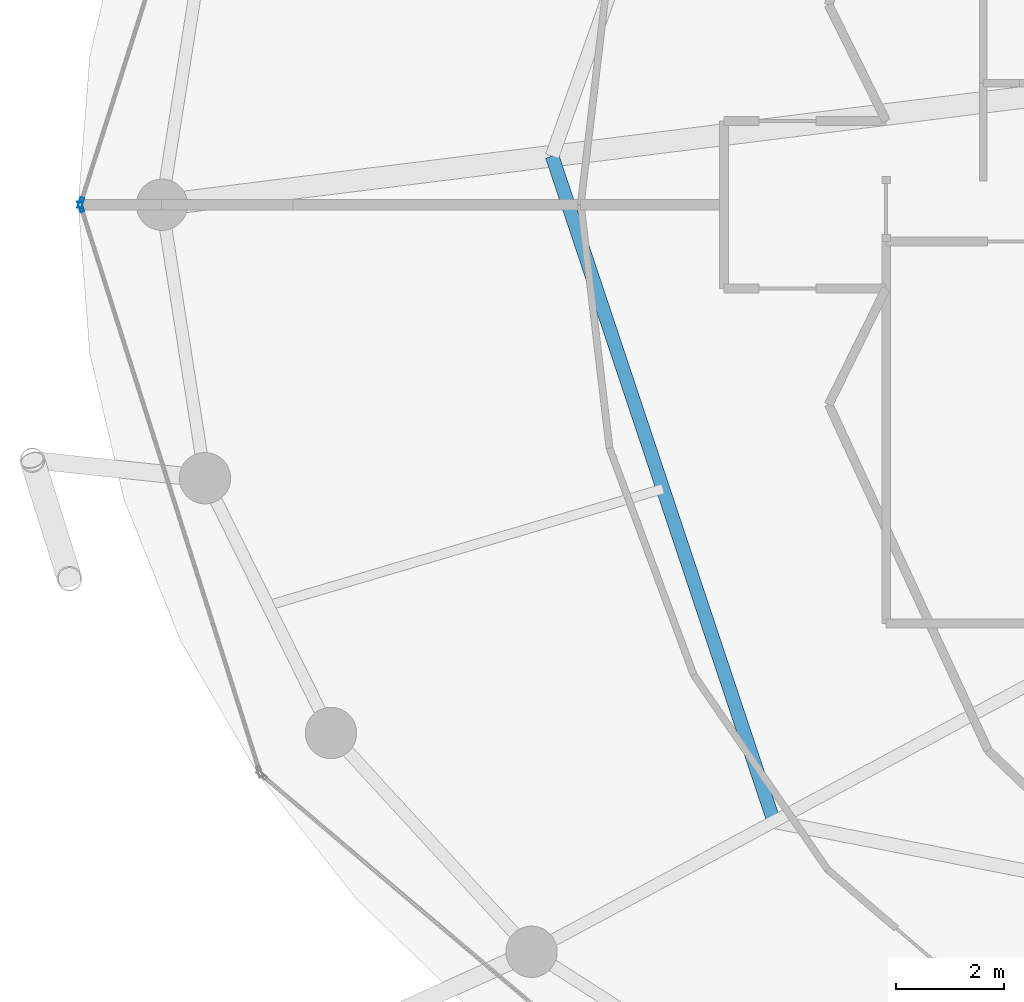
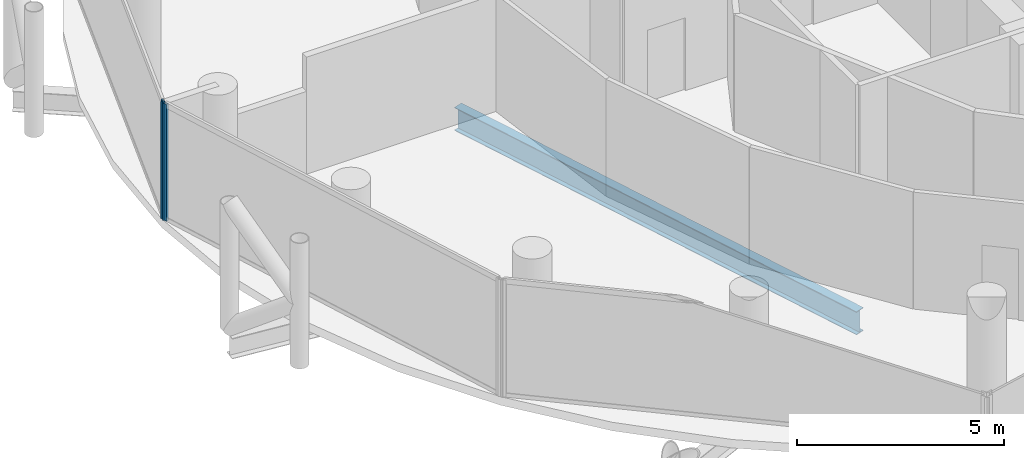
# One storey, part 6 of 26: 2 members, 1 beam, 2 elements without a shape of their own.
"""IFC4 building model written with IfcOpenShell, lengths in metres."""

from ifc_helpers import new_model, si_unit, direction, frame, origin, origin_2d, place, context, subcontext, project, spatial, hollow_rectangle, i_section, extrude, material, layer, layer_set, material_profile, profile_set, type_object, element, aggregate, save


model = new_model("IFC4")

# Units and contexts
model_context = context("Model", 3, precision=1e-05, world=origin(), true_north=direction((0.0, 1.0)))
body_context = subcontext(model_context, "Body", "Model", "MODEL_VIEW")
ifc_project = project(units=[si_unit("LENGTHUNIT", "METRE"), si_unit("AREAUNIT", "SQUARE_METRE"), si_unit("VOLUMEUNIT", "CUBIC_METRE"), si_unit("PLANEANGLEUNIT", "RADIAN"), si_unit("MASSUNIT", "GRAM", prefix="KILO")], contexts=[model_context])

# Site, building, storey
site_placement = place(None, origin())
site = spatial("IfcSite", under=ifc_project, at=site_placement, CompositionType="ELEMENT")
building_placement = place(site_placement, origin())
building = spatial("IfcBuilding", under=site, at=building_placement, Name="Nuhasar Tower", CompositionType="ELEMENT")
storey_placement = place(building_placement, frame((0.0, 0.0, 125.64990234375)))
storey = spatial("IfcBuildingStorey", under=building, at=storey_placement, Name="L29", CompositionType="ELEMENT", Elevation=125.64990234375)

# Beam
ifc_material_1 = material(Name="Steel S355", Category="steel")
ifc_material_profile_1 = material_profile(ifc_material_1, i_section(OverallWidth=0.25390625, OverallDepth=0.68408203125, WebThickness=0.012451171875, FlangeThickness=0.018798828125, at=origin_2d()), Name="W27X94")
ifc_profile_set_1 = profile_set([ifc_material_profile_1], Name="Steel S355")
beam_type = type_object("IfcBeamType", Name="BM-INRING-W27X94", PredefinedType="BEAM", material=ifc_profile_set_1)
beam_placement = place(storey_placement, frame((22.8701171875, 27.699951171875, -0.591796875), z_axis=(0.31609797573, -0.948726551615, 0.0), x_axis=(0.948726551615, 0.31609797573, 0.0)))
element("IfcBeam", 1, at=beam_placement, inside=storey, type_object=beam_type, Name="L29 Inner Header Beam 08", PredefinedType="BEAM", context=body_context, shape_type="SweptSolid", body=[
    extrude(i_section(OverallWidth=0.25390625, OverallDepth=0.68408203125, WebThickness=0.012451171875, FlangeThickness=0.018798828125, at=origin_2d()), origin(), (0.0, 0.0, 1.0), 12.9794921875),
])

# Curtain wall, member
ifc_material_2 = material(Name="Aluminium 6063-T6", Category="aluminium")
ifc_layer = layer(ifc_material_2, 0.199951171875)
ifc_layer_set = layer_set([ifc_layer], Name="Aluminium 6063-T6")
curtain_wall_type = type_object("IfcCurtainWallType", Name="CW-Z2-HTL", PredefinedType="NOTDEFINED", material=ifc_layer_set)
curtain_wall_1_placement = place(storey_placement, origin())
curtain_wall_1 = element("IfcCurtainWall", 2, at=curtain_wall_1_placement, inside=storey, type_object=curtain_wall_type, Name="L29 Unitised Curtain Wall 06", PredefinedType="NOTDEFINED")
ifc_material_profile_2 = material_profile(ifc_material_2, hollow_rectangle(XDim=0.070068359375, YDim=0.199951171875, WallThickness=0.0048828125, at=origin_2d()), Name="CWM-3")
ifc_profile_set_2 = profile_set([ifc_material_profile_2], Name="Aluminium 6063-T6")
member_type = type_object("IfcMemberType", Name="CW-MUL-S3", PredefinedType="MULLION", material=ifc_profile_set_2)
member_1_placement = place(storey_placement, frame((14.150634765625, 26.833251953125, 0.0), z_axis=(0.0, 0.0, 1.0), x_axis=(0.953433389233, -0.301603667577, 0.0)))
member_1 = element("IfcMember", 3, at=member_1_placement, type_object=member_type, Name="CW-Z2 mullion 2", PredefinedType="MULLION", context=body_context, shape_type="SweptSolid", body=[
    extrude(hollow_rectangle(XDim=0.070068359375, YDim=0.199951171875, WallThickness=0.0048828125, at=origin_2d()), origin(), (0.0, 0.0, 1.0), 3.4501953125),
])
aggregate(curtain_wall_1, [member_1])

curtain_wall_2_placement = place(storey_placement, origin())
curtain_wall_2 = element("IfcCurtainWall", 4, at=curtain_wall_2_placement, inside=storey, type_object=curtain_wall_type, Name="L29 Unitised Curtain Wall 07", PredefinedType="NOTDEFINED")
member_2_placement = place(storey_placement, frame((14.150634765625, 26.7666015625, 0.0), z_axis=(0.0, 0.0, 1.0), x_axis=(0.953433389233, 0.301603667577, 0.0)))
member_2 = element("IfcMember", 5, at=member_2_placement, type_object=member_type, Name="CW-Z2 mullion 1", PredefinedType="MULLION", context=body_context, shape_type="SweptSolid", body=[
    extrude(hollow_rectangle(XDim=0.070068359375, YDim=0.199951171875, WallThickness=0.0048828125, at=origin_2d()), origin(), (0.0, 0.0, 1.0), 3.4501953125),
])
aggregate(curtain_wall_2, [member_2])

save(model, "model.ifc")
